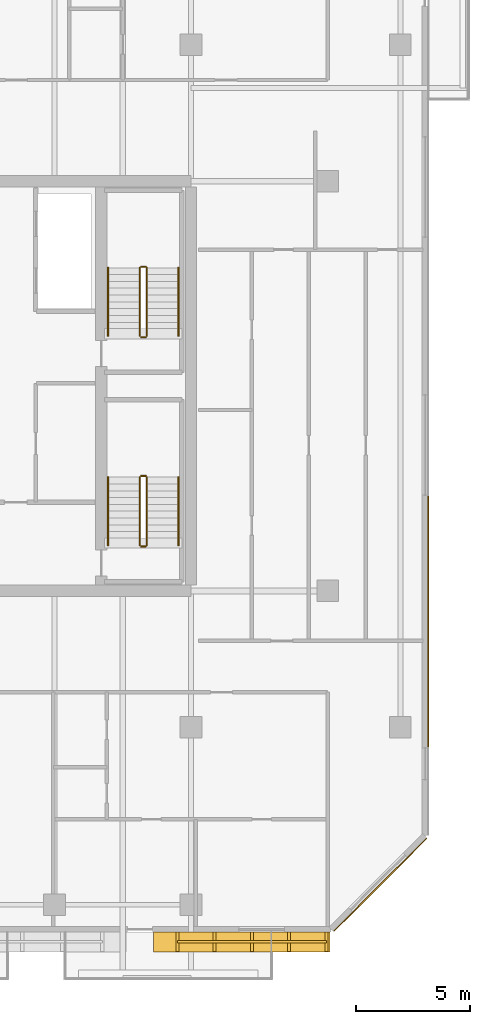
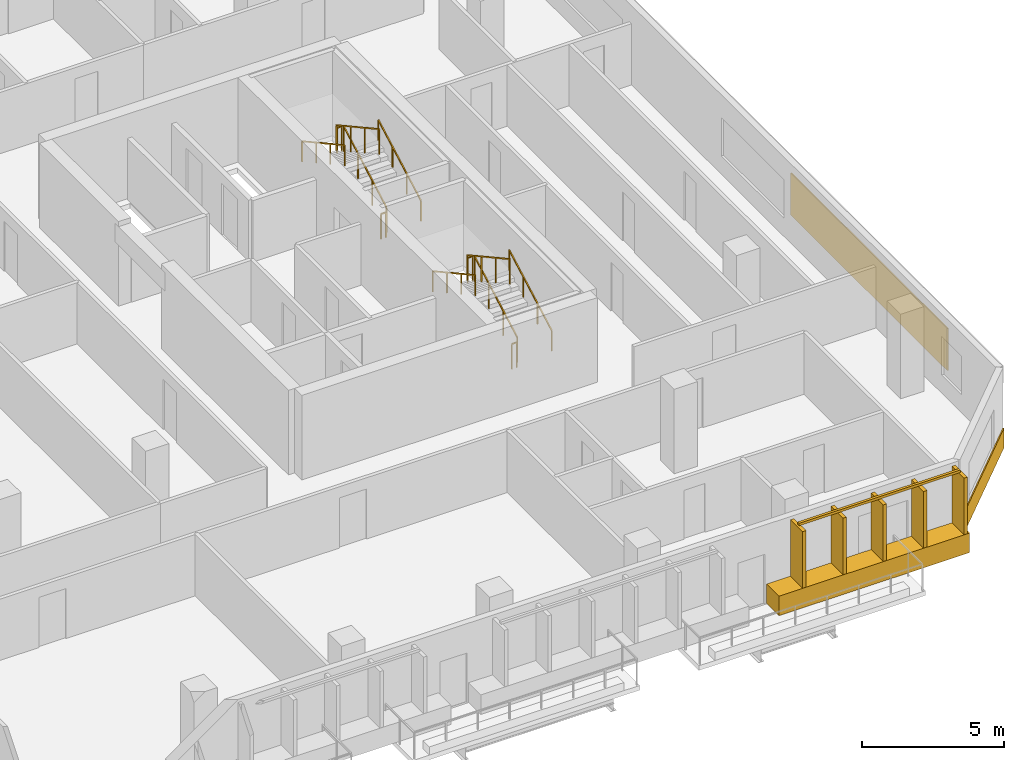
# One storey, part 21 of 22: 13 railings, 3 coverings.
"""IFC4 building model written with IfcOpenShell, lengths in metres."""

from ifc_helpers import new_model, si_unit, direction, frame, origin, origin_2d, place, context, subcontext, project, spatial, rectangle, extrude, material, layer, layer_set, type_object, element, save


model = new_model("IFC4")

# Units and contexts
model_context = context("Model", 3, precision=1e-05, world=origin(), true_north=direction((0.0, 1.0)))
body_context = subcontext(model_context, "Body", "Model", "MODEL_VIEW")
ifc_project = project(units=[si_unit("LENGTHUNIT", "METRE"), si_unit("AREAUNIT", "SQUARE_METRE"), si_unit("VOLUMEUNIT", "CUBIC_METRE"), si_unit("PLANEANGLEUNIT", "RADIAN"), si_unit("MASSUNIT", "GRAM", prefix="KILO")], contexts=[model_context])

# Site, building, storey
site_placement = place(None, origin())
site = spatial("IfcSite", under=ifc_project, at=site_placement, CompositionType="ELEMENT")
building_placement = place(site_placement, origin())
building = spatial("IfcBuilding", under=site, at=building_placement, Name="Tanjung Sevakor Pilgrim Tower", CompositionType="ELEMENT")
storey_placement = place(building_placement, frame((0.0, 0.0, 115.830078125)))
storey = spatial("IfcBuildingStorey", under=building, at=storey_placement, Name="L32", CompositionType="ELEMENT", Elevation=115.830078125)

# Coverings
ifc_material_1 = material(Name="Reconstructed Limestone Cladding", Category="masonry")
ifc_layer = layer(ifc_material_1, 0.044921875)
ifc_layer_set = layer_set([ifc_layer], Name="COV-CLAD-LIMESTONE")
covering_type = type_object("IfcCoveringType", Name="COV-CLAD-LIMESTONE", PredefinedType="CLADDING", material=ifc_layer_set)
covering_1_placement = place(storey_placement, frame((92.234130859375, 9.169921875, 0.009765625), z_axis=(0.0, 0.0, 1.0), x_axis=(1.0, 0.0, 0.0)))
element("IfcCovering", 1, at=covering_1_placement, inside=storey, type_object=covering_type, Name="L32 Warm Limestone Sill Spandrel EW-L32-MAIN-5-4", PredefinedType="CLADDING", context=body_context, shape_type="SweptSolid", body=[
    extrude(rectangle(XDim=7.748291015625, YDim=0.860107421875, at=origin_2d()), origin(), (0.0, 0.0, 1.0), 0.840087890625),
])
covering_2_placement = place(storey_placement, frame((98.31591796875, 11.68408203125, 0.009765625), z_axis=(0.0, 0.0, 1.0), x_axis=(0.707106781187, 0.707106781187, 0.0)))
element("IfcCovering", 2, at=covering_2_placement, inside=storey, type_object=covering_type, Name="L32 Warm Limestone Sill Spandrel EW-CHM-L32-MAIN-5-1", PredefinedType="CLADDING", context=body_context, shape_type="SweptSolid", body=[
    extrude(rectangle(XDim=5.756103515625, YDim=0.044921875, at=origin_2d()), origin(), (0.0, 0.0, 1.0), 0.840087890625),
])
covering_3_placement = place(storey_placement, frame((100.422607421875, 23.258056640625, 0.849853515625), z_axis=(0.0, 0.0, 1.0), x_axis=(0.0, 1.0, 0.0)))
element("IfcCovering", 3, at=covering_3_placement, inside=storey, type_object=covering_type, Name="L32 Warm Limestone Pier Panel EW-L32-MAIN-7-1", PredefinedType="CLADDING", context=body_context, shape_type="SweptSolid", body=[
    extrude(rectangle(XDim=11.004150390625, YDim=0.044921875, at=origin_2d()), origin(), (0.0, 0.0, 1.0), 1.81005859375),
])

# Railings
ifc_material_2 = material(Name="Anodised Bronze Aluminium 6063-T6", Category="aluminium")
railing_type_1 = type_object("IfcRailingType", Name="RL-FIN-SCREEN", PredefinedType="BALUSTRADE", material=ifc_material_2)
railing_1_placement = place(storey_placement, frame((89.39990234375, 9.175048828125, 0.83984375)))
element("IfcRailing", 4, at=railing_1_placement, inside=storey, type_object=railing_type_1, Name="L32 Vertical Bronze-Gold Solar Fin Screen FNSCR-EW-L32-MAIN-5-4", PredefinedType="BALUSTRADE", context=body_context, shape_type="SweptSolid", body=[
    extrude(rectangle(XDim=0.105, YDim=0.105), frame((0.0, 0.0, 2.487548828125), z_axis=(1.0, 0.0, 0.0), x_axis=(0.0, 1.0, 0.0)), (0.0, 0.0, 1.0), 6.54833984375),
    extrude(rectangle(XDim=0.14, YDim=0.85), origin(), (0.0, 0.0, 1.0), 2.43505859375),
    extrude(rectangle(XDim=0.14, YDim=0.85), frame((1.63720703125, 0.0, 0.0)), (0.0, 0.0, 1.0), 2.43505859375),
    extrude(rectangle(XDim=0.14, YDim=0.85), frame((3.274169921875, 0.0, 0.0)), (0.0, 0.0, 1.0), 2.43505859375),
    extrude(rectangle(XDim=0.14, YDim=0.85), frame((4.9111328125, 0.0, 0.0)), (0.0, 0.0, 1.0), 2.43505859375),
    extrude(rectangle(XDim=0.14, YDim=0.85), frame((6.54833984375, 0.0, 0.0)), (0.0, 0.0, 1.0), 2.43505859375),
])
ifc_material_3 = material(Name="Steel S355J2", Category="steel")
railing_type_2 = type_object("IfcRailingType", Name="RL-STAIR-GUARD", PredefinedType="GUARDRAIL", material=ifc_material_3)
railing_2_placement = place(storey_placement, frame((88.050048828125, 26.60009765625, 0.1650390625)))
element("IfcRailing", 5, at=railing_2_placement, inside=storey, type_object=railing_type_2, Name="L32 TS-E1 stair guard 1", PredefinedType="GUARDRAIL", context=body_context, shape_type="SweptSolid", body=[
    extrude(rectangle(XDim=0.0479, YDim=0.0479), frame((0.0, 0.0, 1.076171875), z_axis=(0.0, 0.876227952683, 0.48189685093), x_axis=(-1.0, 0.0, 0.0)), (0.0, 0.0, 1.0), 3.423828125),
    extrude(rectangle(XDim=0.042, YDim=0.042), origin(), (0.0, 0.0, 1.0), 1.052001953125),
    extrude(rectangle(XDim=0.042, YDim=0.042), frame((0.0, 1.0, 0.550048828125)), (0.0, 0.0, 1.0), 1.052001953125),
    extrude(rectangle(XDim=0.042, YDim=0.042), frame((0.0, 2.0, 1.099853515625)), (0.0, 0.0, 1.0), 1.052001953125),
    extrude(rectangle(XDim=0.042, YDim=0.042), frame((0.0, 3.0, 1.64990234375)), (0.0, 0.0, 1.0), 1.052001953125),
])
railing_3_placement = place(storey_placement, frame((88.0, 29.64990234375, 1.81494140625)))
element("IfcRailing", 6, at=railing_3_placement, inside=storey, type_object=railing_type_2, Name="L32 TS-E1 stair guard 2", PredefinedType="GUARDRAIL", context=body_context, shape_type="SweptSolid", body=[
    extrude(rectangle(XDim=0.0479, YDim=0.0479), frame((0.0, 0.0, 1.076171875), z_axis=(-1.0, 0.0, 0.0), x_axis=(0.0, -1.0, 0.0)), (0.0, 0.0, 1.0), 0.199951171875),
    extrude(rectangle(XDim=0.042, YDim=0.042), origin(), (0.0, 0.0, 1.0), 1.052001953125),
    extrude(rectangle(XDim=0.042, YDim=0.042), frame((-0.199951171875, 0.0, 0.0)), (0.0, 0.0, 1.0), 1.052001953125),
])
railing_4_placement = place(storey_placement, frame((87.75, 29.60009765625, 1.97998046875)))
element("IfcRailing", 7, at=railing_4_placement, inside=storey, type_object=railing_type_2, Name="L32 TS-E1 stair guard 3", PredefinedType="GUARDRAIL", context=body_context, shape_type="SweptSolid", body=[
    extrude(rectangle(XDim=0.0479, YDim=0.0479), frame((0.0, 0.0, 1.076171875), z_axis=(0.0, -0.876227952683, 0.48189685093), x_axis=(1.0, 0.0, 0.0)), (0.0, 0.0, 1.0), 3.423828125),
    extrude(rectangle(XDim=0.042, YDim=0.042), origin(), (0.0, 0.0, 1.0), 1.052001953125),
    extrude(rectangle(XDim=0.042, YDim=0.042), frame((0.0, -1.0, 0.550048828125)), (0.0, 0.0, 1.0), 1.052001953125),
    extrude(rectangle(XDim=0.042, YDim=0.042), frame((0.0, -2.0, 1.099853515625)), (0.0, 0.0, 1.0), 1.052001953125),
    extrude(rectangle(XDim=0.042, YDim=0.042), frame((0.0, -3.0, 1.64990234375)), (0.0, 0.0, 1.0), 1.052001953125),
])
railing_5_placement = place(storey_placement, frame((88.0, 26.550048828125, 0.0)))
element("IfcRailing", 8, at=railing_5_placement, inside=storey, type_object=railing_type_2, Name="L32 TS-E1 stair guard 4", PredefinedType="GUARDRAIL", context=body_context, shape_type="SweptSolid", body=[
    extrude(rectangle(XDim=0.0479, YDim=0.0479), frame((0.0, 0.0, 1.076171875), z_axis=(-1.0, 0.0, 0.0), x_axis=(0.0, -1.0, 0.0)), (0.0, 0.0, 1.0), 0.199951171875),
    extrude(rectangle(XDim=0.042, YDim=0.042), origin(), (0.0, 0.0, 1.0), 1.052001953125),
    extrude(rectangle(XDim=0.042, YDim=0.042), frame((-0.199951171875, 0.0, 0.0)), (0.0, 0.0, 1.0), 1.052001953125),
])
railing_6_placement = place(storey_placement, frame((88.050048828125, 35.800048828125, 0.1650390625)))
element("IfcRailing", 9, at=railing_6_placement, inside=storey, type_object=railing_type_2, Name="L32 TS-E2 stair guard 1", PredefinedType="GUARDRAIL", context=body_context, shape_type="SweptSolid", body=[
    extrude(rectangle(XDim=0.0479, YDim=0.0479), frame((0.0, 0.0, 1.076171875), z_axis=(0.0, 0.876227952683, 0.48189685093), x_axis=(-1.0, 0.0, 0.0)), (0.0, 0.0, 1.0), 3.423828125),
    extrude(rectangle(XDim=0.042, YDim=0.042), origin(), (0.0, 0.0, 1.0), 1.052001953125),
    extrude(rectangle(XDim=0.042, YDim=0.042), frame((0.0, 1.0, 0.550048828125)), (0.0, 0.0, 1.0), 1.052001953125),
    extrude(rectangle(XDim=0.042, YDim=0.042), frame((0.0, 2.0, 1.099853515625)), (0.0, 0.0, 1.0), 1.052001953125),
    extrude(rectangle(XDim=0.042, YDim=0.042), frame((0.0, 3.0, 1.64990234375)), (0.0, 0.0, 1.0), 1.052001953125),
])
railing_7_placement = place(storey_placement, frame((88.0, 38.85009765625, 1.81494140625)))
element("IfcRailing", 10, at=railing_7_placement, inside=storey, type_object=railing_type_2, Name="L32 TS-E2 stair guard 2", PredefinedType="GUARDRAIL", context=body_context, shape_type="SweptSolid", body=[
    extrude(rectangle(XDim=0.0479, YDim=0.0479), frame((0.0, 0.0, 1.076171875), z_axis=(-1.0, 0.0, 0.0), x_axis=(0.0, -1.0, 0.0)), (0.0, 0.0, 1.0), 0.199951171875),
    extrude(rectangle(XDim=0.042, YDim=0.042), origin(), (0.0, 0.0, 1.0), 1.052001953125),
    extrude(rectangle(XDim=0.042, YDim=0.042), frame((-0.199951171875, 0.0, 0.0)), (0.0, 0.0, 1.0), 1.052001953125),
])
railing_8_placement = place(storey_placement, frame((87.75, 38.800048828125, 1.97998046875)))
element("IfcRailing", 11, at=railing_8_placement, inside=storey, type_object=railing_type_2, Name="L32 TS-E2 stair guard 3", PredefinedType="GUARDRAIL", context=body_context, shape_type="SweptSolid", body=[
    extrude(rectangle(XDim=0.0479, YDim=0.0479), frame((0.0, 0.0, 1.076171875), z_axis=(0.0, -0.876227952683, 0.48189685093), x_axis=(1.0, 0.0, 0.0)), (0.0, 0.0, 1.0), 3.423828125),
    extrude(rectangle(XDim=0.042, YDim=0.042), origin(), (0.0, 0.0, 1.0), 1.052001953125),
    extrude(rectangle(XDim=0.042, YDim=0.042), frame((0.0, -1.0, 0.550048828125)), (0.0, 0.0, 1.0), 1.052001953125),
    extrude(rectangle(XDim=0.042, YDim=0.042), frame((0.0, -2.0, 1.099853515625)), (0.0, 0.0, 1.0), 1.052001953125),
    extrude(rectangle(XDim=0.042, YDim=0.042), frame((0.0, -3.0, 1.64990234375)), (0.0, 0.0, 1.0), 1.052001953125),
])
railing_9_placement = place(storey_placement, frame((88.0, 35.75, 0.0)))
element("IfcRailing", 12, at=railing_9_placement, inside=storey, type_object=railing_type_2, Name="L32 TS-E2 stair guard 4", PredefinedType="GUARDRAIL", context=body_context, shape_type="SweptSolid", body=[
    extrude(rectangle(XDim=0.0479, YDim=0.0479), frame((0.0, 0.0, 1.076171875), z_axis=(-1.0, 0.0, 0.0), x_axis=(0.0, -1.0, 0.0)), (0.0, 0.0, 1.0), 0.199951171875),
    extrude(rectangle(XDim=0.042, YDim=0.042), origin(), (0.0, 0.0, 1.0), 1.052001953125),
    extrude(rectangle(XDim=0.042, YDim=0.042), frame((-0.199951171875, 0.0, 0.0)), (0.0, 0.0, 1.0), 1.052001953125),
])
ifc_material_4 = material(Name="Steel S355J2", Category="steel")
railing_type_3 = type_object("IfcRailingType", Name="RL-STAIR-HAND", PredefinedType="HANDRAIL", material=ifc_material_4)
railing_10_placement = place(storey_placement, frame((89.449951171875, 26.60009765625, 0.1650390625)))
element("IfcRailing", 13, at=railing_10_placement, inside=storey, type_object=railing_type_3, Name="L32 TS-E1 stair handrail 1", PredefinedType="HANDRAIL", context=body_context, shape_type="SweptSolid", body=[
    extrude(rectangle(XDim=0.0479, YDim=0.0479), frame((0.0, 0.0, 0.8759765625), z_axis=(0.0, 0.876227952683, 0.48189685093), x_axis=(-1.0, 0.0, 0.0)), (0.0, 0.0, 1.0), 3.423828125),
    extrude(rectangle(XDim=0.042, YDim=0.042), origin(), (0.0, 0.0, 1.0), 0.851806640625),
    extrude(rectangle(XDim=0.042, YDim=0.042), frame((0.0, 1.0, 0.550048828125)), (0.0, 0.0, 1.0), 0.851806640625),
    extrude(rectangle(XDim=0.042, YDim=0.042), frame((0.0, 2.0, 1.099853515625)), (0.0, 0.0, 1.0), 0.851806640625),
    extrude(rectangle(XDim=0.042, YDim=0.042), frame((0.0, 3.0, 1.64990234375)), (0.0, 0.0, 1.0), 0.851806640625),
])
railing_11_placement = place(storey_placement, frame((86.35009765625, 29.60009765625, 1.97998046875)))
element("IfcRailing", 14, at=railing_11_placement, inside=storey, type_object=railing_type_3, Name="L32 TS-E1 stair handrail 2", PredefinedType="HANDRAIL", context=body_context, shape_type="SweptSolid", body=[
    extrude(rectangle(XDim=0.0479, YDim=0.0479), frame((0.0, 0.0, 0.8759765625), z_axis=(0.0, -0.876227952683, 0.48189685093), x_axis=(1.0, 0.0, 0.0)), (0.0, 0.0, 1.0), 3.423828125),
    extrude(rectangle(XDim=0.042, YDim=0.042), origin(), (0.0, 0.0, 1.0), 0.851806640625),
    extrude(rectangle(XDim=0.042, YDim=0.042), frame((0.0, -1.0, 0.550048828125)), (0.0, 0.0, 1.0), 0.851806640625),
    extrude(rectangle(XDim=0.042, YDim=0.042), frame((0.0, -2.0, 1.099853515625)), (0.0, 0.0, 1.0), 0.851806640625),
    extrude(rectangle(XDim=0.042, YDim=0.042), frame((0.0, -3.0, 1.64990234375)), (0.0, 0.0, 1.0), 0.851806640625),
])
railing_12_placement = place(storey_placement, frame((89.449951171875, 35.800048828125, 0.1650390625)))
element("IfcRailing", 15, at=railing_12_placement, inside=storey, type_object=railing_type_3, Name="L32 TS-E2 stair handrail 1", PredefinedType="HANDRAIL", context=body_context, shape_type="SweptSolid", body=[
    extrude(rectangle(XDim=0.0479, YDim=0.0479), frame((0.0, 0.0, 0.8759765625), z_axis=(0.0, 0.876227952683, 0.48189685093), x_axis=(-1.0, 0.0, 0.0)), (0.0, 0.0, 1.0), 3.423828125),
    extrude(rectangle(XDim=0.042, YDim=0.042), origin(), (0.0, 0.0, 1.0), 0.851806640625),
    extrude(rectangle(XDim=0.042, YDim=0.042), frame((0.0, 1.0, 0.550048828125)), (0.0, 0.0, 1.0), 0.851806640625),
    extrude(rectangle(XDim=0.042, YDim=0.042), frame((0.0, 2.0, 1.099853515625)), (0.0, 0.0, 1.0), 0.851806640625),
    extrude(rectangle(XDim=0.042, YDim=0.042), frame((0.0, 3.0, 1.64990234375)), (0.0, 0.0, 1.0), 0.851806640625),
])
railing_13_placement = place(storey_placement, frame((86.35009765625, 38.800048828125, 1.97998046875)))
element("IfcRailing", 16, at=railing_13_placement, inside=storey, type_object=railing_type_3, Name="L32 TS-E2 stair handrail 2", PredefinedType="HANDRAIL", context=body_context, shape_type="SweptSolid", body=[
    extrude(rectangle(XDim=0.0479, YDim=0.0479), frame((0.0, 0.0, 0.8759765625), z_axis=(0.0, -0.876227952683, 0.48189685093), x_axis=(1.0, 0.0, 0.0)), (0.0, 0.0, 1.0), 3.423828125),
    extrude(rectangle(XDim=0.042, YDim=0.042), origin(), (0.0, 0.0, 1.0), 0.851806640625),
    extrude(rectangle(XDim=0.042, YDim=0.042), frame((0.0, -1.0, 0.550048828125)), (0.0, 0.0, 1.0), 0.851806640625),
    extrude(rectangle(XDim=0.042, YDim=0.042), frame((0.0, -2.0, 1.099853515625)), (0.0, 0.0, 1.0), 0.851806640625),
    extrude(rectangle(XDim=0.042, YDim=0.042), frame((0.0, -3.0, 1.64990234375)), (0.0, 0.0, 1.0), 0.851806640625),
])

save(model, "model.ifc")
